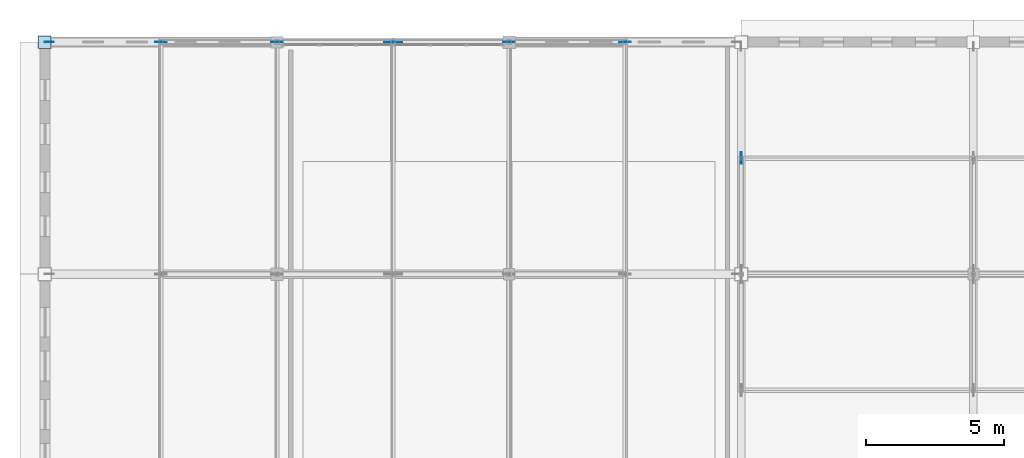
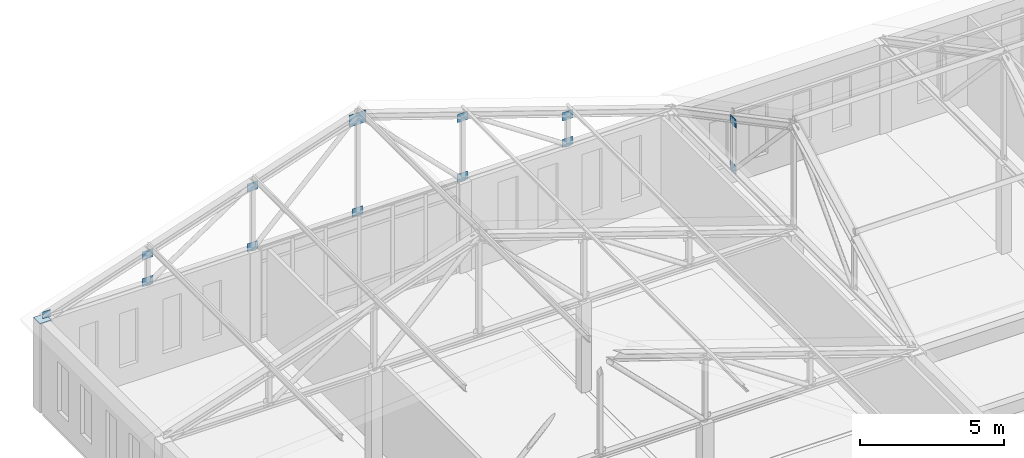
# One storey, part 37 of 56: 14 plates.
"""IFC4 building model written with IfcOpenShell, lengths in metres."""

from ifc_helpers import new_model, si_unit, direction, frame, origin, origin_2d, place, context, subcontext, project, spatial, rectangle, extrude, material, layer, layer_set, type_object, element, save


model = new_model("IFC4")

# Units and contexts
model_context = context("Model", 3, precision=1e-05, world=origin(), true_north=direction((0.0, 1.0)))
body_context = subcontext(model_context, "Body", "Model", "MODEL_VIEW")
ifc_project = project(units=[si_unit("LENGTHUNIT", "METRE"), si_unit("AREAUNIT", "SQUARE_METRE"), si_unit("VOLUMEUNIT", "CUBIC_METRE"), si_unit("PLANEANGLEUNIT", "RADIAN"), si_unit("MASSUNIT", "GRAM", prefix="KILO")], contexts=[model_context])

# Site, building, storey
site_placement = place(None, origin())
site = spatial("IfcSite", under=ifc_project, at=site_placement, CompositionType="ELEMENT")
building_placement = place(site_placement, origin())
building = spatial("IfcBuilding", under=site, at=building_placement, Name="Kveldsbrygga Polytechnic", CompositionType="ELEMENT")
storey_placement = place(building_placement, frame((0.0, 0.0, 18.02001953125)))
storey = spatial("IfcBuildingStorey", under=building, at=storey_placement, Name="L04", CompositionType="ELEMENT", Elevation=18.02001953125)

# Plates
ifc_material = material(Name="Steel S355", Category="steel")
ifc_layer_1 = layer(ifc_material, 0.030029296875)
ifc_layer_set_1 = layer_set([ifc_layer_1], Name="Steel S355")
plate_type_1 = type_object("IfcPlateType", Name="CAP-BEAR-450", PredefinedType="SHEET", material=ifc_layer_set_1)
plate_1_placement = place(storey_placement, frame((100.800048828125, 117.60009765625, 3.75), z_axis=(0.0, 0.0, 1.0), x_axis=(1.0, 0.0, 0.0)))
element("IfcPlate", 1, at=plate_1_placement, inside=storey, type_object=plate_type_1, Name="Truss Bearing Plate V4NE5-T05-A", PredefinedType="SHEET", context=body_context, shape_type="SweptSolid", body=[
    extrude(rectangle(XDim=0.449951171875, YDim=0.449951171875, at=origin_2d()), origin(), (0.0, 0.0, 1.0), 0.030029296875),
])
ifc_layer_2 = layer(ifc_material, 0.02490234375)
ifc_layer_set_2 = layer_set([ifc_layer_2], Name="Steel S355")
plate_type_2 = type_object("IfcPlateType", Name="GUS-APEX-650", PredefinedType="SHEET", material=ifc_layer_set_2)
plate_2_placement = place(storey_placement, frame((113.39990234375, 117.60009765625, 7.580078125), z_axis=(0.0, 0.0, 1.0), x_axis=(1.0, 0.0, 0.0)))
element("IfcPlate", 2, at=plate_2_placement, inside=storey, type_object=plate_type_2, Name="Truss Gusset Plate V4NE5-T05-GP-3", PredefinedType="SHEET", context=body_context, shape_type="SweptSolid", body=[
    extrude(rectangle(XDim=0.64990234375, YDim=0.02490234375, at=origin_2d()), origin(), (0.0, 0.0, 1.0), 0.5),
])
ifc_layer_3 = layer(ifc_material, 0.01806640625)
ifc_layer_set_3 = layer_set([ifc_layer_3], Name="Steel S355")
plate_type_3 = type_object("IfcPlateType", Name="GUS-BRACE-320", PredefinedType="SHEET", material=ifc_layer_set_3)
plate_3_placement = place(storey_placement, frame((100.9599609375, 117.60009765625, 3.73974609375), z_axis=(0.0, 0.0, 1.0), x_axis=(1.0, 0.0, 0.0)))
element("IfcPlate", 3, at=plate_3_placement, inside=storey, type_object=plate_type_3, Name="Truss Eaves Node Gusset V4NE5-T05-EGP-A", PredefinedType="SHEET", context=body_context, shape_type="SweptSolid", body=[
    extrude(rectangle(XDim=0.320068359375, YDim=0.01806640625, at=origin_2d()), origin(), (0.0, 0.0, 1.0), 0.320068359375),
])
ifc_layer_4 = layer(ifc_material, 0.02001953125)
ifc_layer_set_4 = layer_set([ifc_layer_4], Name="Steel S355")
plate_type_4 = type_object("IfcPlateType", Name="GUS-LECT-420", PredefinedType="SHEET", material=ifc_layer_set_4)
for number, where, z_axis, x_axis, name in (
    (4, (105.0, 117.60009765625, 4.85498046875), (0.0, 0.0, 1.0), (1.0, 0.0, 0.0), "Truss Gusset Plate V4NE5-T05-GP-1"),
    (5, (105.0, 117.60009765625, 3.724853515625), (0.0, 0.0, 1.0), (1.0, 0.0, 0.0), "Truss Bottom-Chord Node Gusset V4NE5-T05-BGP-1"),
    (6, (109.199951171875, 117.60009765625, 6.2548828125), (0.0, 0.0, 1.0), (1.0, 0.0, 0.0), "Truss Gusset Plate V4NE5-T05-GP-2"),
    (7, (109.199951171875, 117.60009765625, 3.724853515625), (0.0, 0.0, 1.0), (1.0, 0.0, 0.0), "Truss Bottom-Chord Node Gusset V4NE5-T05-BGP-2"),
    (8, (113.39990234375, 117.60009765625, 3.724853515625), (0.0, 0.0, 1.0), (1.0, 0.0, 0.0), "Truss Bottom-Chord Node Gusset V4NE5-T05-BGP-3"),
    (9, (117.60009765625, 117.60009765625, 6.2548828125), (0.0, 0.0, 1.0), (1.0, 0.0, 0.0), "Truss Gusset Plate V4NE5-T05-GP-4"),
    (10, (117.60009765625, 117.60009765625, 3.724853515625), (0.0, 0.0, 1.0), (1.0, 0.0, 0.0), "Truss Bottom-Chord Node Gusset V4NE5-T05-BGP-4"),
    (11, (121.800048828125, 117.60009765625, 4.85498046875), (0.0, 0.0, 1.0), (1.0, 0.0, 0.0), "Truss Gusset Plate V4NE5-T05-GP-5"),
    (12, (121.800048828125, 117.60009765625, 3.724853515625), (0.0, 0.0, 1.0), (1.0, 0.0, 0.0), "Truss Bottom-Chord Node Gusset V4NE5-T05-BGP-5"),
):
    element("IfcPlate", number, at=place(storey_placement, frame(where, z_axis=z_axis, x_axis=x_axis)), inside=storey, type_object=plate_type_4, Name=name, PredefinedType="SHEET", context=body_context, shape_type="SweptSolid", body=[
        extrude(rectangle(XDim=0.419921875, YDim=0.02001953125, at=origin_2d()), origin(), (0.0, 0.0, 1.0), 0.35009765625),
    ])
for number, where, z_axis, x_axis, name in (
    (13, (126.0, 113.39990234375, 5.679931640625), (0.0, 0.0, 1.0), (1.0, 0.0, 0.0), "Truss Gusset Plate V4N5-T01-GP-3"),
    (14, (126.0, 113.39990234375, 3.724853515625), (0.0, 0.0, 1.0), (1.0, 0.0, 0.0), "Truss Bottom-Chord Node Gusset V4N5-T01-BGP-3"),
):
    element("IfcPlate", number, at=place(storey_placement, frame(where, z_axis=z_axis, x_axis=x_axis)), inside=storey, type_object=plate_type_4, Name=name, PredefinedType="SHEET", context=body_context, shape_type="SweptSolid", body=[
        extrude(rectangle(XDim=0.02001953125, YDim=0.419921875, at=origin_2d()), origin(), (0.0, 0.0, 1.0), 0.35009765625),
    ])

save(model, "model.ifc")
